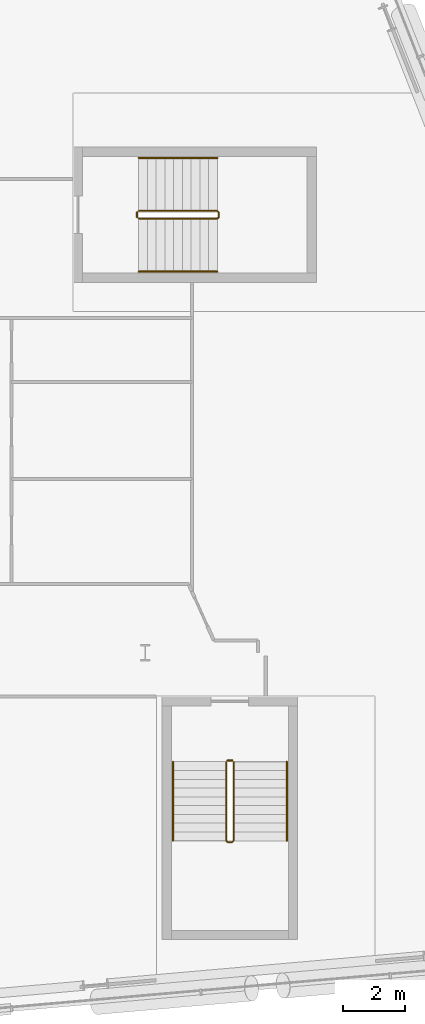
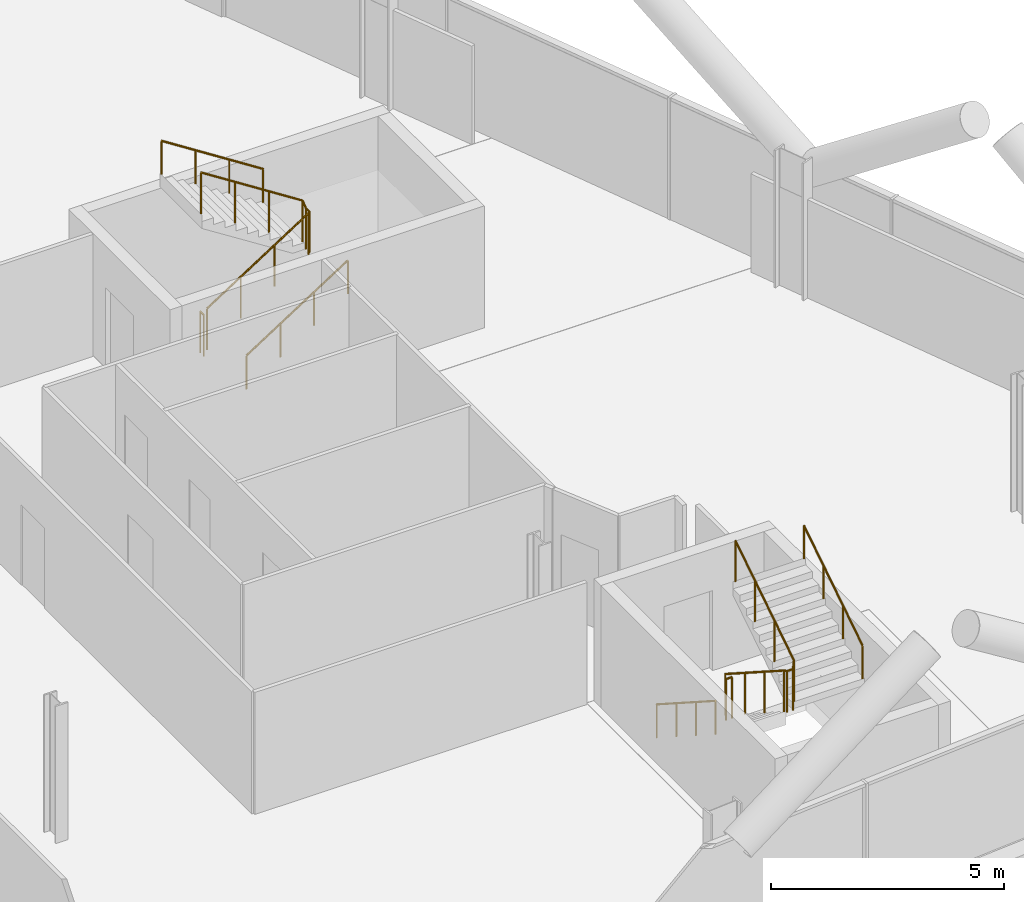
# One storey, part 25 of 25: 8 railings.
"""IFC4 building model written with IfcOpenShell, lengths in metres."""

from ifc_helpers import new_model, si_unit, direction, frame, origin, origin_2d, place, context, subcontext, project, spatial, circle, extrude, material, type_object, element, save


model = new_model("IFC4")

# Units and contexts
model_context = context("Model", 3, precision=1e-05, world=origin(), true_north=direction((0.0, 1.0)))
body_context = subcontext(model_context, "Body", "Model", "MODEL_VIEW")
ifc_project = project(units=[si_unit("LENGTHUNIT", "METRE"), si_unit("AREAUNIT", "SQUARE_METRE"), si_unit("VOLUMEUNIT", "CUBIC_METRE"), si_unit("PLANEANGLEUNIT", "RADIAN"), si_unit("MASSUNIT", "GRAM", prefix="KILO")], contexts=[model_context])

# Site, building, storey
site_placement = place(None, origin())
site = spatial("IfcSite", under=ifc_project, at=site_placement, CompositionType="ELEMENT")
building_placement = place(site_placement, origin())
building = spatial("IfcBuilding", under=site, at=building_placement, Name="Wharfspan Tower", CompositionType="ELEMENT")
storey_placement = place(building_placement, frame((0.0, 0.0, 121.899902)))
storey = spatial("IfcBuildingStorey", under=building, at=storey_placement, Name="L28", CompositionType="ELEMENT", Elevation=121.899902)

# Railings
ifc_material = material(Name="Steel S355J2", Category="steel")
railing_type_1 = type_object("IfcRailingType", Name="Stair guard 1100", PredefinedType="GUARDRAIL", material=ifc_material)
railing_1_placement = place(storey_placement, frame((74.591064, 7.994629, 0.180176)))
element("IfcRailing", 1, at=railing_1_placement, inside=storey, type_object=railing_type_1, Name="L28 ST5 stair guard 1", PredefinedType="GUARDRAIL", context=body_context, shape_type="SweptSolid", body=[
    extrude(circle(Radius=0.023926, at=origin_2d()), frame((0.0, 0.0, 1.076172), z_axis=(0.0, -0.8412, 0.540725), x_axis=(1.0, 0.0, 0.0)), (0.0, 0.0, 1.0), 2.99585),
    extrude(circle(Radius=0.023926, at=origin_2d()), frame((0.0, -2.52002, 2.695801), z_axis=(0.707107, -0.707107, 0.0), x_axis=(0.707107, 0.707107, 0.0)), (0.0, 0.0, 1.0), 0.070801),
    extrude(circle(Radius=0.023926, at=origin_2d()), frame((0.050049, -2.570068, 2.695801), z_axis=(1.0, 0.0, 0.0), x_axis=(0.0, 1.0, 0.0)), (0.0, 0.0, 1.0), 0.149902),
    extrude(circle(Radius=0.023926, at=origin_2d()), frame((0.199951, -2.570068, 2.695801), z_axis=(0.258848, 0.258848, 0.930589), x_axis=(-0.707107, 0.707107, 0.0)), (0.0, 0.0, 1.0), 0.193359),
    extrude(circle(Radius=0.023926, at=origin_2d()), frame((0.25, -2.52002, 2.875977), z_axis=(0.0, 0.841163, 0.540782), x_axis=(-1.0, 0.0, 0.0)), (0.0, 0.0, 1.0), 2.99585),
    extrude(circle(Radius=0.020996, at=origin_2d()), origin(), (0.0, 0.0, 1.0), 1.052002),
    extrude(circle(Radius=0.020996, at=origin_2d()), frame((0.0, -0.840088, 0.540039)), (0.0, 0.0, 1.0), 1.052002),
    extrude(circle(Radius=0.020996, at=origin_2d()), frame((0.0, -1.679932, 1.079834)), (0.0, 0.0, 1.0), 1.052002),
    extrude(circle(Radius=0.020996, at=origin_2d()), frame((0.0, -2.52002, 1.619873)), (0.0, 0.0, 1.0), 1.052002),
    extrude(circle(Radius=0.020996, at=origin_2d()), frame((0.050049, -2.570068, 1.619873)), (0.0, 0.0, 1.0), 1.052002),
    extrude(circle(Radius=0.020996, at=origin_2d()), frame((0.199951, -2.570068, 1.619873)), (0.0, 0.0, 1.0), 1.052002),
    extrude(circle(Radius=0.020996, at=origin_2d()), frame((0.25, -2.52002, 1.799805)), (0.0, 0.0, 1.0), 1.052002),
    extrude(circle(Radius=0.020996, at=origin_2d()), frame((0.25, -1.679932, 2.339844)), (0.0, 0.0, 1.0), 1.052002),
    extrude(circle(Radius=0.020996, at=origin_2d()), frame((0.25, -0.840088, 2.879883)), (0.0, 0.0, 1.0), 1.052002),
    extrude(circle(Radius=0.020996, at=origin_2d()), frame((0.25, 0.0, 3.419922)), (0.0, 0.0, 1.0), 1.052002),
])
railing_2_placement = place(storey_placement, frame((74.641113, 8.044678, 0.0)))
element("IfcRailing", 2, at=railing_2_placement, inside=storey, type_object=railing_type_1, Name="L28 ST5 stair guard 2", PredefinedType="GUARDRAIL", context=body_context, shape_type="SweptSolid", body=[
    extrude(circle(Radius=0.023926, at=origin_2d()), frame((0.0, 0.0, 1.076172), z_axis=(1.0, 0.0, 0.0), x_axis=(0.0, 1.0, 0.0)), (0.0, 0.0, 1.0), 0.149902),
    extrude(circle(Radius=0.020996, at=origin_2d()), origin(), (0.0, 0.0, 1.0), 1.052002),
    extrude(circle(Radius=0.020996, at=origin_2d()), frame((0.149902, 0.0, 0.0)), (0.0, 0.0, 1.0), 1.052002),
])
railing_3_placement = place(storey_placement, frame((71.790283, 25.425049, 0.180176)))
element("IfcRailing", 3, at=railing_3_placement, inside=storey, type_object=railing_type_1, Name="L28 ST6 stair guard 1", PredefinedType="GUARDRAIL", context=body_context, shape_type="SweptSolid", body=[
    extrude(circle(Radius=0.023926, at=origin_2d()), frame((0.0, 0.0, 1.076172), z_axis=(0.8412, 0.0, 0.540725), x_axis=(0.0, 1.0, 0.0)), (0.0, 0.0, 1.0), 2.99585),
    extrude(circle(Radius=0.023926, at=origin_2d()), frame((2.52002, 0.0, 2.695801), z_axis=(0.707107, 0.707107, 0.0), x_axis=(-0.707107, 0.707107, 0.0)), (0.0, 0.0, 1.0), 0.070801),
    extrude(circle(Radius=0.023926, at=origin_2d()), frame((2.570068, 0.050049, 2.695801), z_axis=(0.0, 1.0, 0.0), x_axis=(-1.0, 0.0, 0.0)), (0.0, 0.0, 1.0), 0.149902),
    extrude(circle(Radius=0.023926, at=origin_2d()), frame((2.570068, 0.199951, 2.695801), z_axis=(-0.258848, 0.258848, 0.930589), x_axis=(-0.707107, -0.707107, 0.0)), (0.0, 0.0, 1.0), 0.193359),
    extrude(circle(Radius=0.023926, at=origin_2d()), frame((2.52002, 0.25, 2.875977), z_axis=(-0.841163, 0.0, 0.540782), x_axis=(0.0, -1.0, 0.0)), (0.0, 0.0, 1.0), 2.99585),
    extrude(circle(Radius=0.020996, at=origin_2d()), origin(), (0.0, 0.0, 1.0), 1.052002),
    extrude(circle(Radius=0.020996, at=origin_2d()), frame((0.840088, 0.0, 0.540039)), (0.0, 0.0, 1.0), 1.052002),
    extrude(circle(Radius=0.020996, at=origin_2d()), frame((1.679932, 0.0, 1.079834)), (0.0, 0.0, 1.0), 1.052002),
    extrude(circle(Radius=0.020996, at=origin_2d()), frame((2.52002, 0.0, 1.619873)), (0.0, 0.0, 1.0), 1.052002),
    extrude(circle(Radius=0.020996, at=origin_2d()), frame((2.570068, 0.050049, 1.619873)), (0.0, 0.0, 1.0), 1.052002),
    extrude(circle(Radius=0.020996, at=origin_2d()), frame((2.570068, 0.199951, 1.619873)), (0.0, 0.0, 1.0), 1.052002),
    extrude(circle(Radius=0.020996, at=origin_2d()), frame((2.52002, 0.25, 1.799805)), (0.0, 0.0, 1.0), 1.052002),
    extrude(circle(Radius=0.020996, at=origin_2d()), frame((1.679932, 0.25, 2.339844)), (0.0, 0.0, 1.0), 1.052002),
    extrude(circle(Radius=0.020996, at=origin_2d()), frame((0.840088, 0.25, 2.879883)), (0.0, 0.0, 1.0), 1.052002),
    extrude(circle(Radius=0.020996, at=origin_2d()), frame((0.0, 0.25, 3.419922)), (0.0, 0.0, 1.0), 1.052002),
])
railing_4_placement = place(storey_placement, frame((71.740479, 25.475098, 0.0)))
element("IfcRailing", 4, at=railing_4_placement, inside=storey, type_object=railing_type_1, Name="L28 ST6 stair guard 2", PredefinedType="GUARDRAIL", context=body_context, shape_type="SweptSolid", body=[
    extrude(circle(Radius=0.023926, at=origin_2d()), frame((0.0, 0.0, 1.076172), z_axis=(0.0, 1.0, 0.0), x_axis=(-1.0, 0.0, 0.0)), (0.0, 0.0, 1.0), 0.149902),
    extrude(circle(Radius=0.020996, at=origin_2d()), origin(), (0.0, 0.0, 1.0), 1.052002),
    extrude(circle(Radius=0.020996, at=origin_2d()), frame((0.0, 0.149902, 0.0)), (0.0, 0.0, 1.0), 1.052002),
])
railing_type_2 = type_object("IfcRailingType", Name="Stair handrail 900", PredefinedType="HANDRAIL", material=ifc_material)
railing_5_placement = place(storey_placement, frame((72.891113, 7.994629, 0.180176)))
element("IfcRailing", 5, at=railing_5_placement, inside=storey, type_object=railing_type_2, Name="L28 ST5 stair handrail 1", PredefinedType="HANDRAIL", context=body_context, shape_type="SweptSolid", body=[
    extrude(circle(Radius=0.023926, at=origin_2d()), frame((0.0, 0.0, 0.875977), z_axis=(0.0, -0.8412, 0.540725), x_axis=(1.0, 0.0, 0.0)), (0.0, 0.0, 1.0), 2.99585),
    extrude(circle(Radius=0.020996, at=origin_2d()), origin(), (0.0, 0.0, 1.0), 0.851807),
    extrude(circle(Radius=0.020996, at=origin_2d()), frame((0.0, -0.840088, 0.540039)), (0.0, 0.0, 1.0), 0.851807),
    extrude(circle(Radius=0.020996, at=origin_2d()), frame((0.0, -1.679932, 1.079834)), (0.0, 0.0, 1.0), 0.851807),
    extrude(circle(Radius=0.020996, at=origin_2d()), frame((0.0, -2.52002, 1.619873)), (0.0, 0.0, 1.0), 0.851807),
])
railing_6_placement = place(storey_placement, frame((76.541016, 5.474609, 1.97998)))
element("IfcRailing", 6, at=railing_6_placement, inside=storey, type_object=railing_type_2, Name="L28 ST5 stair handrail 2", PredefinedType="HANDRAIL", context=body_context, shape_type="SweptSolid", body=[
    extrude(circle(Radius=0.023926, at=origin_2d()), frame((0.0, 0.0, 0.875977), z_axis=(0.0, 0.841163, 0.540782), x_axis=(-1.0, 0.0, 0.0)), (0.0, 0.0, 1.0), 2.99585),
    extrude(circle(Radius=0.020996, at=origin_2d()), origin(), (0.0, 0.0, 1.0), 0.851807),
    extrude(circle(Radius=0.020996, at=origin_2d()), frame((0.0, 0.840088, 0.540039)), (0.0, 0.0, 1.0), 0.851807),
    extrude(circle(Radius=0.020996, at=origin_2d()), frame((0.0, 1.679932, 1.080078)), (0.0, 0.0, 1.0), 0.851807),
    extrude(circle(Radius=0.020996, at=origin_2d()), frame((0.0, 2.52002, 1.620117)), (0.0, 0.0, 1.0), 0.851807),
])
railing_7_placement = place(storey_placement, frame((71.790283, 23.725098, 0.180176)))
element("IfcRailing", 7, at=railing_7_placement, inside=storey, type_object=railing_type_2, Name="L28 ST6 stair handrail 1", PredefinedType="HANDRAIL", context=body_context, shape_type="SweptSolid", body=[
    extrude(circle(Radius=0.023926, at=origin_2d()), frame((0.0, 0.0, 0.875977), z_axis=(0.8412, 0.0, 0.540725), x_axis=(0.0, 1.0, 0.0)), (0.0, 0.0, 1.0), 2.99585),
    extrude(circle(Radius=0.020996, at=origin_2d()), origin(), (0.0, 0.0, 1.0), 0.851807),
    extrude(circle(Radius=0.020996, at=origin_2d()), frame((0.840088, 0.0, 0.540039)), (0.0, 0.0, 1.0), 0.851807),
    extrude(circle(Radius=0.020996, at=origin_2d()), frame((1.679932, 0.0, 1.079834)), (0.0, 0.0, 1.0), 0.851807),
    extrude(circle(Radius=0.020996, at=origin_2d()), frame((2.52002, 0.0, 1.619873)), (0.0, 0.0, 1.0), 0.851807),
])
railing_8_placement = place(storey_placement, frame((74.310303, 27.375, 1.97998)))
element("IfcRailing", 8, at=railing_8_placement, inside=storey, type_object=railing_type_2, Name="L28 ST6 stair handrail 2", PredefinedType="HANDRAIL", context=body_context, shape_type="SweptSolid", body=[
    extrude(circle(Radius=0.023926, at=origin_2d()), frame((0.0, 0.0, 0.875977), z_axis=(-0.841163, 0.0, 0.540782), x_axis=(0.0, -1.0, 0.0)), (0.0, 0.0, 1.0), 2.99585),
    extrude(circle(Radius=0.020996, at=origin_2d()), origin(), (0.0, 0.0, 1.0), 0.851807),
    extrude(circle(Radius=0.020996, at=origin_2d()), frame((-0.840088, 0.0, 0.540039)), (0.0, 0.0, 1.0), 0.851807),
    extrude(circle(Radius=0.020996, at=origin_2d()), frame((-1.679932, 0.0, 1.080078)), (0.0, 0.0, 1.0), 0.851807),
    extrude(circle(Radius=0.020996, at=origin_2d()), frame((-2.52002, 0.0, 1.620117)), (0.0, 0.0, 1.0), 0.851807),
])

save(model, "model.ifc")
